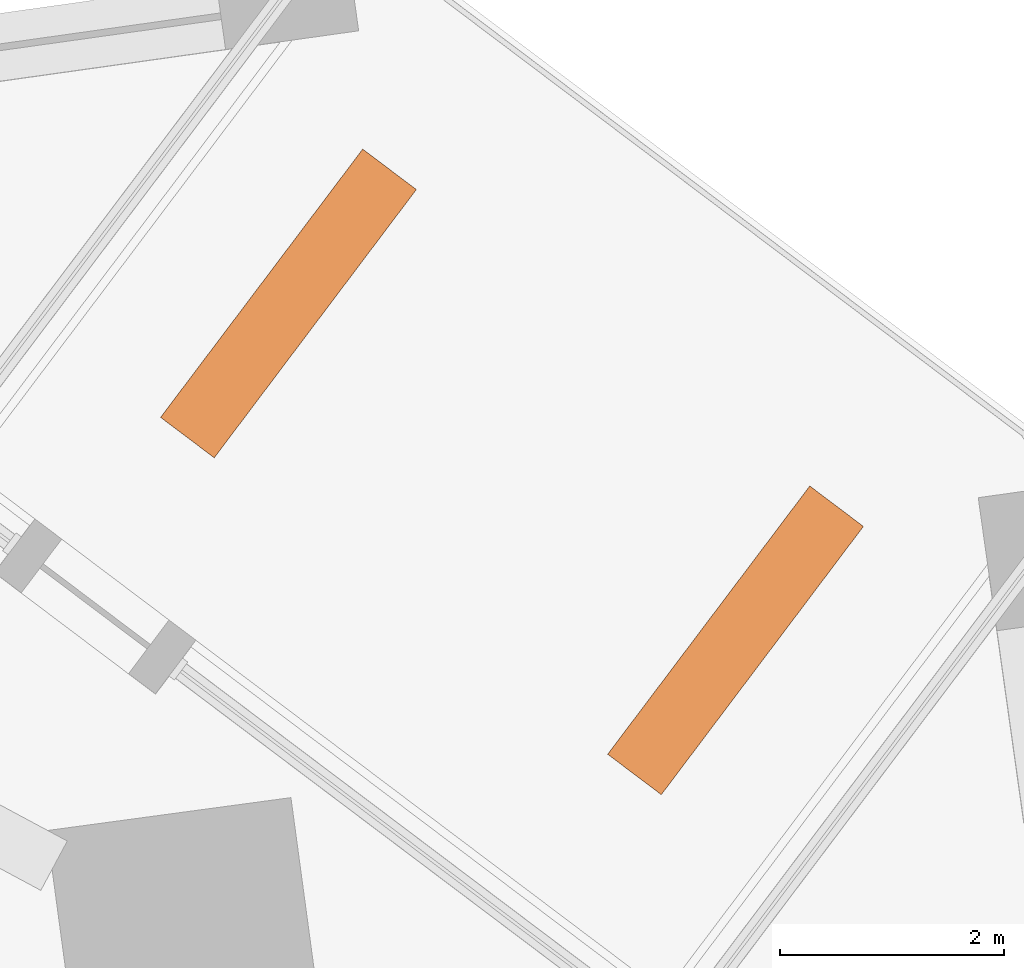
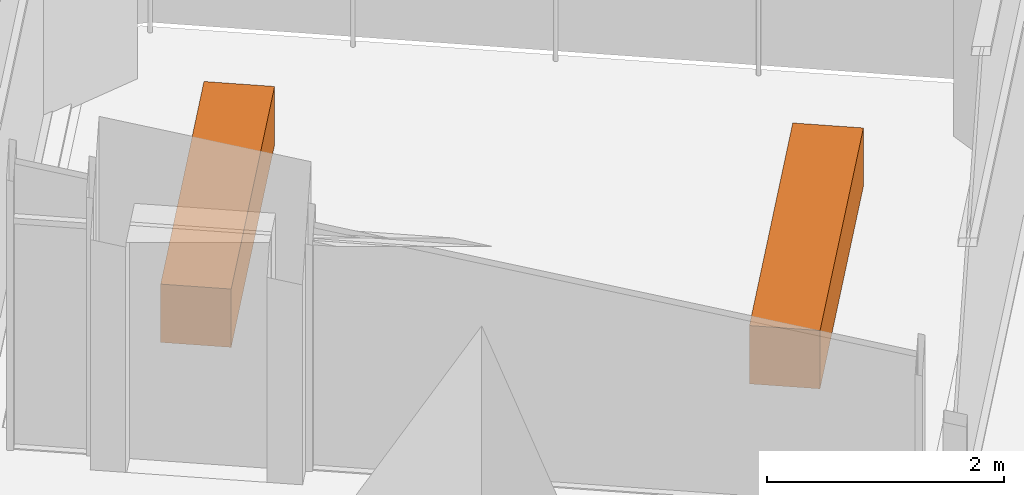
# One storey, part 12 of 12: 2 proxies.
"""IFC4 building model written with IfcOpenShell, lengths in metres."""

from ifc_helpers import new_model, si_unit, direction, frame, origin, origin_2d, place, context, subcontext, project, spatial, rectangle, extrude, element, save


model = new_model("IFC4")

# Units and contexts
model_context = context("Model", 3, precision=1e-05, world=origin(), true_north=direction((0.0, 1.0)))
body_context = subcontext(model_context, "Body", "Model", "MODEL_VIEW")
ifc_project = project(units=[si_unit("LENGTHUNIT", "METRE"), si_unit("AREAUNIT", "SQUARE_METRE"), si_unit("VOLUMEUNIT", "CUBIC_METRE"), si_unit("PLANEANGLEUNIT", "RADIAN"), si_unit("MASSUNIT", "GRAM", prefix="KILO")], contexts=[model_context])

# Site, building, storey
site_placement = place(None, origin())
site = spatial("IfcSite", under=ifc_project, at=site_placement, CompositionType="ELEMENT")
building_placement = place(site_placement, origin())
building = spatial("IfcBuilding", under=site, at=building_placement, Name="Dilmun Exchange Tower", CompositionType="ELEMENT")
storey_placement = place(building_placement, frame((0.0, 0.0, 55.5)))
storey = spatial("IfcBuildingStorey", under=building, at=storey_placement, Name="L12", CompositionType="ELEMENT", Elevation=55.5)

# Proxies
for number, where, z_axis, x_axis, name in (
    (1, (23.5361328125, 27.079345703125, 0.0), (0.0, 0.0, 1.0), (0.601815023152, 0.798635510047, 0.0), "PLANTER Ghaf tree L12.1"),
    (2, (19.54296875, 30.08837890625, 0.0), (0.0, 0.0, 1.0), (0.601815023152, 0.798635510047, 0.0), "PLANTER Ghaf tree L12.2"),
):
    element("IfcBuildingElementProxy", number, at=place(storey_placement, frame(where, z_axis=z_axis, x_axis=x_axis)), inside=storey, Name=name, ObjectType="PLANTER", PredefinedType="USERDEFINED", context=body_context, shape_type="SweptSolid", body=[
        extrude(rectangle(XDim=3.0, YDim=0.60009765625, at=origin_2d()), origin(), (0.0, 0.0, 1.0), 0.60009765625),
    ])

save(model, "model.ifc")
